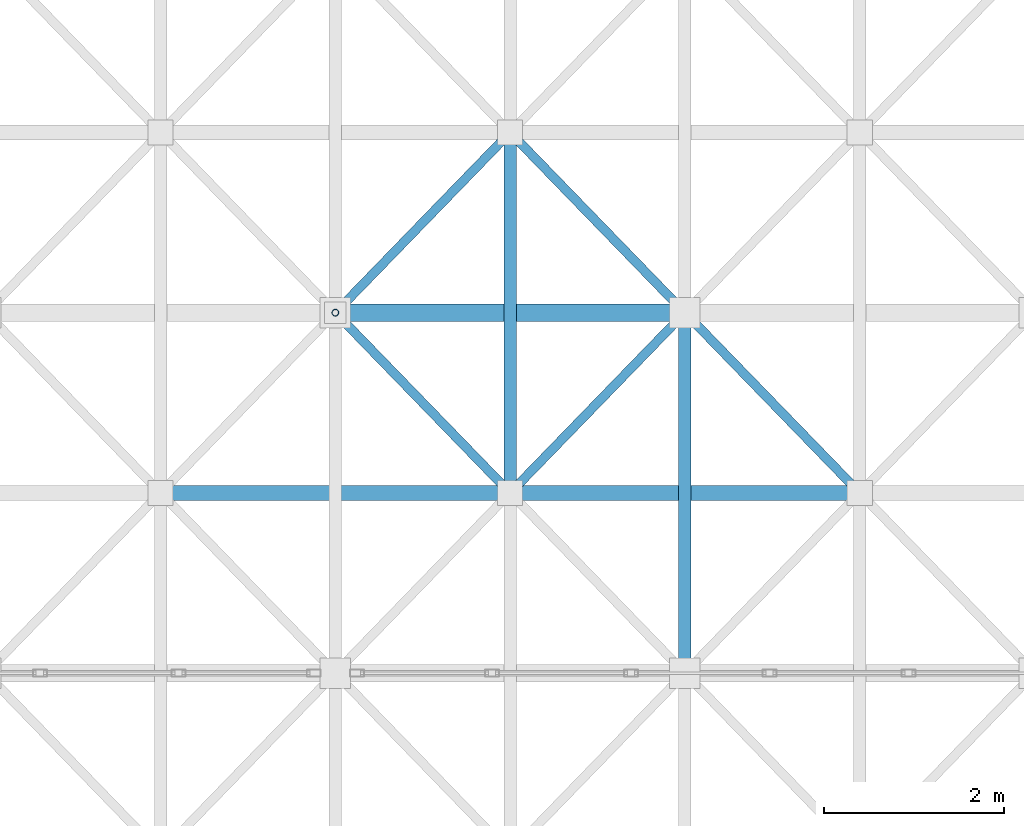
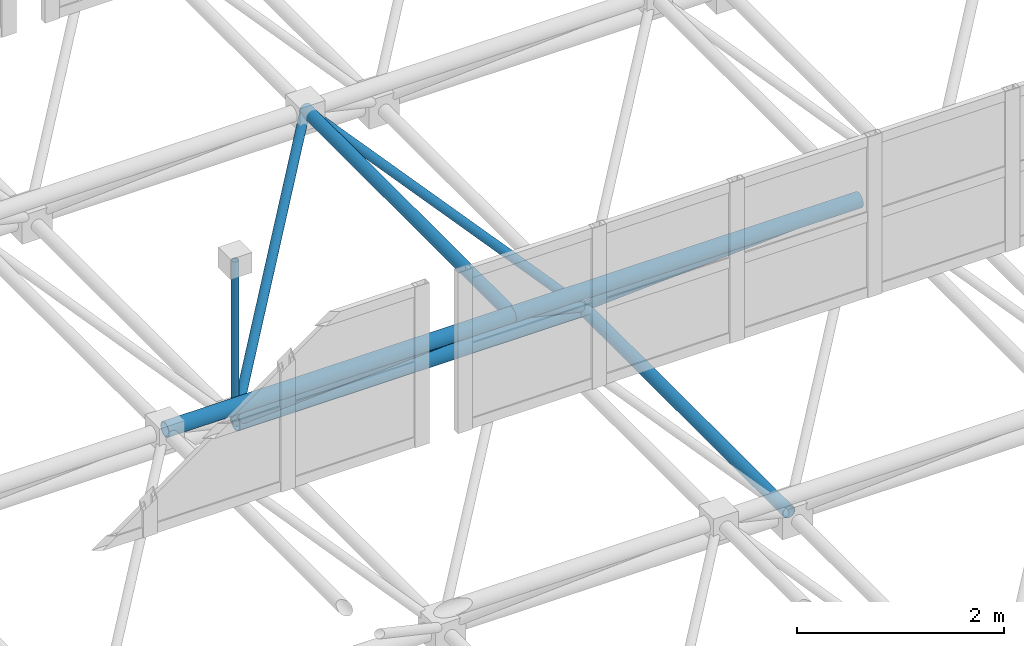
# One storey, part 60 of 195: 11 members.
"""IFC4 building model written with IfcOpenShell, lengths in metres."""

from ifc_helpers import new_model, si_unit, direction, frame, origin, origin_2d, place, context, subcontext, project, spatial, hollow_circle, extrude, material, material_profile, profile_set, type_object, element, save


model = new_model("IFC4")

# Units and contexts
model_context = context("Model", 3, precision=1e-05, world=origin(), true_north=direction((0.0, 1.0)))
body_context = subcontext(model_context, "Body", "Model", "MODEL_VIEW")
ifc_project = project(units=[si_unit("LENGTHUNIT", "METRE"), si_unit("AREAUNIT", "SQUARE_METRE"), si_unit("VOLUMEUNIT", "CUBIC_METRE"), si_unit("PLANEANGLEUNIT", "RADIAN"), si_unit("MASSUNIT", "GRAM", prefix="KILO")], contexts=[model_context])

# Site, building, storey
site_placement = place(None, origin())
site = spatial("IfcSite", under=ifc_project, at=site_placement, CompositionType="ELEMENT")
building_placement = place(site_placement, origin())
building = spatial("IfcBuilding", under=site, at=building_placement, Name="Kharva Crest Polytechnic", CompositionType="ELEMENT")
storey_placement = place(building_placement, frame((0.0, 0.0, 9.0)))
storey = spatial("IfcBuildingStorey", under=building, at=storey_placement, Name="L02", CompositionType="ELEMENT", Elevation=9.0)

# Members
ifc_material = material(Name="Steel S355", Category="steel")
ifc_material_profile_1 = material_profile(ifc_material, hollow_circle(Radius=0.05078125, WallThickness=0.0048828125, at=origin_2d()), Name="CHS 101.6X5.0")
ifc_profile_set_1 = profile_set([ifc_material_profile_1], Name="Steel S355")
member_type_1 = type_object("IfcMemberType", Name="MEM-CHS101", PredefinedType="BRACE", material=ifc_profile_set_1)
for number, where, z_axis, x_axis, name in (
    (1, (16.0, 58.800048828125, 0.60009765625), (0.584843378742, -0.602949529154, 0.542595694449), (0.717802189577, 0.696247094528, 0.0), "Space Frame Web Diagonal 691"),
    (2, (19.8798828125, 58.800048828125, 0.60009765625), (-0.584843378742, -0.602949529154, 0.542595694449), (0.717802189577, -0.696247094528, 0.0), "Space Frame Web Diagonal 692"),
    (3, (16.0, 58.800048828125, 0.60009765625), (0.584843378742, 0.602949529154, 0.542595694449), (-0.717802189577, 0.696247094528, 0.0), "Space Frame Web Diagonal 693"),
    (4, (19.8798828125, 58.800048828125, 0.60009765625), (-0.584843378742, 0.602949529154, 0.542595694449), (-0.717802189577, -0.696247094528, 0.0), "Space Frame Web Diagonal 694"),
    (5, (19.8798828125, 58.800048828125, 0.60009765625), (0.584891802813, -0.602923574763, 0.542572338032), (0.717758400015, 0.696292236929, 0.0), "Space Frame Web Diagonal 747"),
):
    element("IfcMember", number, at=place(storey_placement, frame(where, z_axis=z_axis, x_axis=x_axis)), inside=storey, type_object=member_type_1, Name=name, PredefinedType="BRACE", context=body_context, shape_type="SweptSolid", body=[
        extrude(hollow_circle(Radius=0.05078125, WallThickness=0.0048828125, at=origin_2d()), origin(), (0.0, 0.0, 1.0), 3.317138671875),
    ])
ifc_material_profile_2 = material_profile(ifc_material, hollow_circle(Radius=0.06982421875, WallThickness=0.00634765625, at=origin_2d()), Name="CHS 139.7X6.3")
ifc_profile_set_2 = profile_set([ifc_material_profile_2], Name="Steel S355")
member_type_2 = type_object("IfcMemberType", Name="MEM-CHS139", PredefinedType="CHORD", material=ifc_profile_set_2)
for number, where, z_axis, x_axis, name in (
    (6, (19.8798828125, 54.800048828125, 0.60009765625), (0.0, 1.0, 0.0), (-1.0, 0.0, 0.0), "Space Frame Bottom Chord Y 195"),
    (7, (17.93994140625, 56.800048828125, 2.39990234375), (0.0, 1.0, 0.0), (-1.0, 0.0, 0.0), "Space Frame Top Chord Y 401"),
):
    element("IfcMember", number, at=place(storey_placement, frame(where, z_axis=z_axis, x_axis=x_axis)), inside=storey, type_object=member_type_2, Name=name, PredefinedType="CHORD", context=body_context, shape_type="SweptSolid", body=[
        extrude(hollow_circle(Radius=0.06982421875, WallThickness=0.00634765625, at=origin_2d()), origin(), (0.0, 0.0, 1.0), 4.0),
    ])
ifc_material_profile_3 = material_profile(ifc_material, hollow_circle(Radius=0.084228515625, WallThickness=0.008056640625, at=origin_2d()), Name="CHS 168.3X8.0")
ifc_profile_set_3 = profile_set([ifc_material_profile_3], Name="Steel S355")
member_type_3 = type_object("IfcMemberType", Name="MEM-CHS168", PredefinedType="CHORD", material=ifc_profile_set_3)
member_1_placement = place(storey_placement, frame((14.06005859375, 56.800048828125, 2.39990234375), z_axis=(1.0, 0.0, 0.0), x_axis=(0.0, 1.0, 0.0)))
element("IfcMember", 8, at=member_1_placement, inside=storey, type_object=member_type_3, Name="Space Frame Top Chord X 278", PredefinedType="CHORD", context=body_context, shape_type="SweptSolid", body=[
    extrude(hollow_circle(Radius=0.084228515625, WallThickness=0.008056640625, at=origin_2d()), origin(), (0.0, 0.0, 1.0), 3.8798828125),
])
member_2_placement = place(storey_placement, frame((17.93994140625, 56.800048828125, 2.39990234375), z_axis=(1.0, 0.0, 0.0), x_axis=(0.0, 1.0, 0.0)))
element("IfcMember", 9, at=member_2_placement, inside=storey, type_object=member_type_3, Name="Space Frame Top Chord X 279", PredefinedType="CHORD", context=body_context, shape_type="SweptSolid", body=[
    extrude(hollow_circle(Radius=0.084228515625, WallThickness=0.008056640625, at=origin_2d()), origin(), (0.0, 0.0, 1.0), 3.880126953125),
])
ifc_material_profile_4 = material_profile(ifc_material, hollow_circle(Radius=0.096923828125, WallThickness=0.008056640625, at=origin_2d()), Name="CHS 193.7X8.0")
ifc_profile_set_4 = profile_set([ifc_material_profile_4], Name="Steel S355")
member_type_4 = type_object("IfcMemberType", Name="MEM-CHS193", PredefinedType="CHORD", material=ifc_profile_set_4)
member_3_placement = place(storey_placement, frame((16.0, 58.800048828125, 0.60009765625), z_axis=(1.0, 0.0, 0.0), x_axis=(0.0, 1.0, 0.0)))
element("IfcMember", 10, at=member_3_placement, inside=storey, type_object=member_type_4, Name="Space Frame Bottom Chord X 45", PredefinedType="CHORD", context=body_context, shape_type="SweptSolid", body=[
    extrude(hollow_circle(Radius=0.096923828125, WallThickness=0.008056640625, at=origin_2d()), origin(), (0.0, 0.0, 1.0), 3.8798828125),
])
ifc_material_profile_5 = material_profile(ifc_material, hollow_circle(Radius=0.0380859375, WallThickness=0.00390625, at=origin_2d()), Name="CHS 76.1X4.0")
ifc_profile_set_5 = profile_set([ifc_material_profile_5], Name="Steel S355")
member_type_5 = type_object("IfcMemberType", Name="MEM-CHS76-ST", PredefinedType="STRUT", material=ifc_profile_set_5)
member_4_placement = place(storey_placement, frame((16.0, 58.800048828125, 0.60009765625), z_axis=(0.0, 0.0, 1.0), x_axis=(1.0, 0.0, 0.0)))
element("IfcMember", 11, at=member_4_placement, inside=storey, type_object=member_type_5, Name="Space Frame Ridge Strut 5", PredefinedType="STRUT", context=body_context, shape_type="SweptSolid", body=[
    extrude(hollow_circle(Radius=0.0380859375, WallThickness=0.00390625, at=origin_2d()), origin(), (0.0, 0.0, 1.0), 1.911865234375),
])

save(model, "model.ifc")
